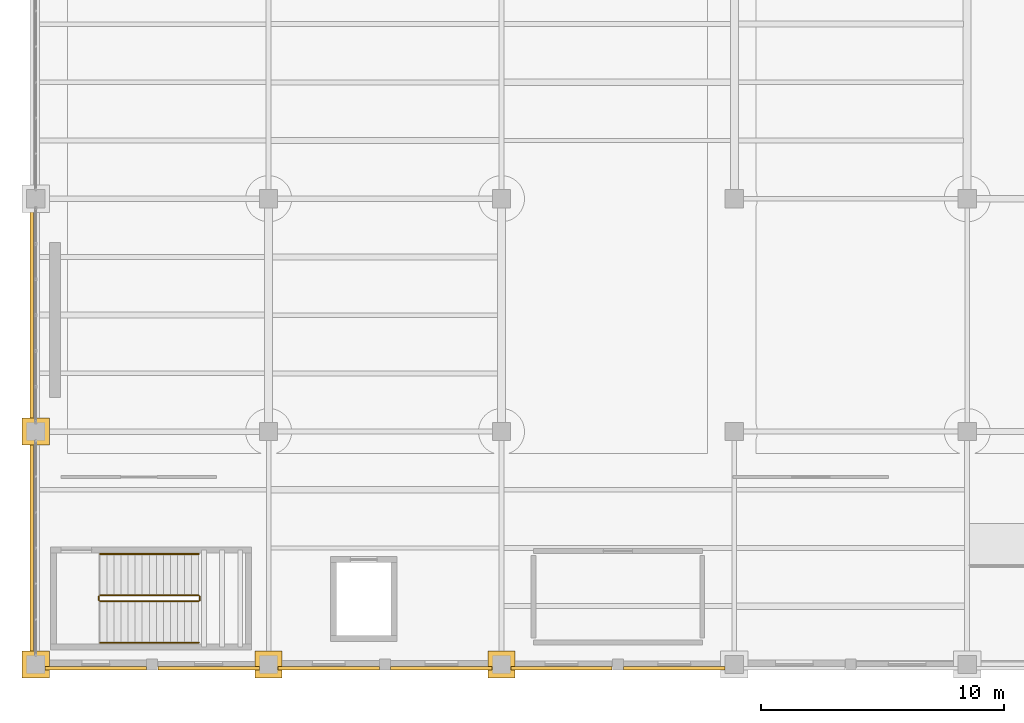
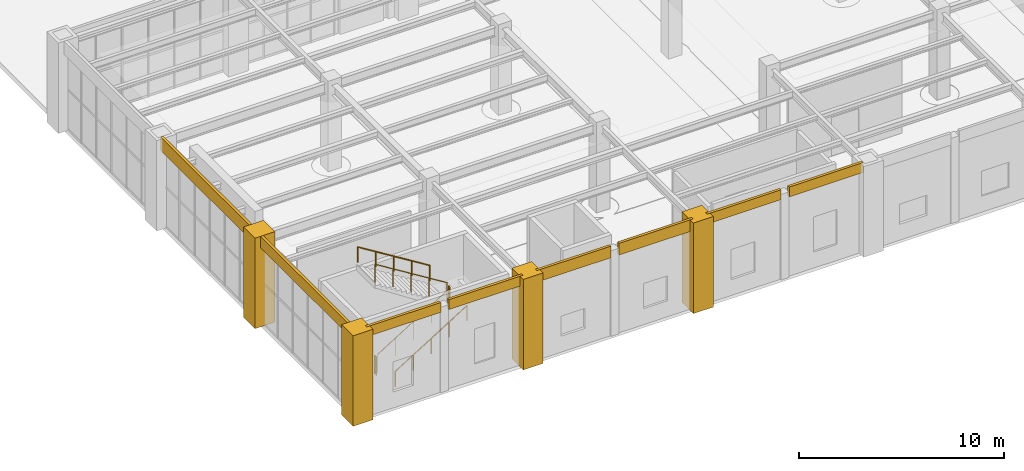
# One storey, part 140 of 164: 12 coverings, 6 railings.
"""IFC4 building model written with IfcOpenShell, lengths in metres."""

from ifc_helpers import new_model, si_unit, direction, frame, origin, origin_2d, place, context, subcontext, project, spatial, polyline, circle, outline, extrude, material, layer, layer_set, type_object, element, save


model = new_model("IFC4")

# Units and contexts
model_context = context("Model", 3, precision=1e-05, world=origin(), true_north=direction((0.0, 1.0)))
body_context = subcontext(model_context, "Body", "Model", "MODEL_VIEW")
ifc_project = project(units=[si_unit("LENGTHUNIT", "METRE"), si_unit("AREAUNIT", "SQUARE_METRE"), si_unit("VOLUMEUNIT", "CUBIC_METRE"), si_unit("PLANEANGLEUNIT", "RADIAN"), si_unit("MASSUNIT", "GRAM", prefix="KILO")], contexts=[model_context])

# Site, building, storey
site_placement = place(None, origin())
site = spatial("IfcSite", under=ifc_project, at=site_placement, CompositionType="ELEMENT")
building_placement = place(site_placement, origin())
building = spatial("IfcBuilding", under=site, at=building_placement, Name="Mavantir Sound Aquarium", CompositionType="ELEMENT")
storey_placement = place(building_placement, origin())
storey = spatial("IfcBuildingStorey", under=building, at=storey_placement, Name="L00", CompositionType="ELEMENT", Elevation=0.0)

# Coverings
ifc_material_1 = material(Name="Honed Coral-Limestone & Glazed Terracotta Rainscreen Cladding", Category="masonry")
ifc_layer = layer(ifc_material_1, 0.06005859375, Name="Honed Coral-Limestone & Glazed Terracotta Rainscreen Cladding")
ifc_layer_set = layer_set([ifc_layer], Name="Honed Coral-Limestone & Glazed Terracotta Rainscreen Cladding")
covering_type = type_object("IfcCoveringType", Name="COV-CLAD-TC", PredefinedType="CLADDING", material=ifc_layer_set)
covering_1_placement = place(storey_placement, frame((0.0, 0.0, 4.59912109375)))
element("IfcCovering", 1, at=covering_1_placement, inside=storey, type_object=covering_type, Name="L00 Postmodern coral-limestone spandrel frieze 54", PredefinedType="CLADDING", context=body_context, shape_type="SweptSolid", body=[
    extrude(outline(polyline([(-0.090087890625, 18.81689453125), (-0.090087890625, 9.98291015625), (-0.239990234375, 9.98291015625), (-0.239990234375, 18.81689453125), (-0.090087890625, 18.81689453125)])), origin(), (0.0, 0.0, 1.0), 0.80078125),
])
covering_2_placement = place(storey_placement, frame((0.0, 0.0, 4.7080078125)))
element("IfcCovering", 2, at=covering_2_placement, inside=storey, type_object=covering_type, Name="L00 Postmodern coral-limestone spandrel frieze 55", PredefinedType="CLADDING", context=body_context, shape_type="SweptSolid", body=[
    extrude(outline(polyline([(-0.090087890625, 9.217041015625), (-0.090087890625, 0.383056640625), (-0.239990234375, 0.383056640625), (-0.239990234375, 9.217041015625), (-0.090087890625, 9.217041015625)])), origin(), (0.0, 0.0, 1.0), 0.69189453125),
])
covering_3_placement = place(storey_placement, frame((0.0, 0.0, 4.81298828125)))
element("IfcCovering", 3, at=covering_3_placement, inside=storey, type_object=covering_type, Name="L00 Postmodern coral-limestone spandrel frieze 56", PredefinedType="CLADDING", context=body_context, shape_type="SweptSolid", body=[
    extrude(outline(polyline([(0.383056640625, -0.090087890625), (4.56689453125, -0.090087890625), (4.56689453125, -0.239990234375), (0.383056640625, -0.239990234375), (0.383056640625, -0.090087890625)])), origin(), (0.0, 0.0, 1.0), 0.5869140625),
])
covering_4_placement = place(storey_placement, frame((0.0, 0.0, 4.81298828125)))
element("IfcCovering", 4, at=covering_4_placement, inside=storey, type_object=covering_type, Name="L00 Postmodern coral-limestone spandrel frieze 57", PredefinedType="CLADDING", context=body_context, shape_type="SweptSolid", body=[
    extrude(outline(polyline([(5.032958984375, -0.090087890625), (9.217041015625, -0.090087890625), (9.217041015625, -0.239990234375), (5.032958984375, -0.239990234375), (5.032958984375, -0.090087890625)])), origin(), (0.0, 0.0, 1.0), 0.5869140625),
])
covering_5_placement = place(storey_placement, frame((0.0, 0.0, 4.7080078125)))
element("IfcCovering", 5, at=covering_5_placement, inside=storey, type_object=covering_type, Name="L00 Postmodern coral-limestone spandrel frieze 58", PredefinedType="CLADDING", context=body_context, shape_type="SweptSolid", body=[
    extrude(outline(polyline([(9.98291015625, -0.090087890625), (14.1669921875, -0.090087890625), (14.1669921875, -0.239990234375), (9.98291015625, -0.239990234375), (9.98291015625, -0.090087890625)])), origin(), (0.0, 0.0, 1.0), 0.69189453125),
])
covering_6_placement = place(storey_placement, frame((0.0, 0.0, 4.7080078125)))
element("IfcCovering", 6, at=covering_6_placement, inside=storey, type_object=covering_type, Name="L00 Postmodern coral-limestone spandrel frieze 59", PredefinedType="CLADDING", context=body_context, shape_type="SweptSolid", body=[
    extrude(outline(polyline([(14.633056640625, -0.090087890625), (18.81689453125, -0.090087890625), (18.81689453125, -0.239990234375), (14.633056640625, -0.239990234375), (14.633056640625, -0.090087890625)])), origin(), (0.0, 0.0, 1.0), 0.69189453125),
])
covering_7_placement = place(storey_placement, frame((0.0, 0.0, 4.81298828125)))
element("IfcCovering", 7, at=covering_7_placement, inside=storey, type_object=covering_type, Name="L00 Postmodern coral-limestone spandrel frieze 60", PredefinedType="CLADDING", context=body_context, shape_type="SweptSolid", body=[
    extrude(outline(polyline([(19.5830078125, -0.090087890625), (23.76708984375, -0.090087890625), (23.76708984375, -0.239990234375), (19.5830078125, -0.239990234375), (19.5830078125, -0.090087890625)])), origin(), (0.0, 0.0, 1.0), 0.5869140625),
])
covering_8_placement = place(storey_placement, frame((0.0, 0.0, 4.81298828125)))
element("IfcCovering", 8, at=covering_8_placement, inside=storey, type_object=covering_type, Name="L00 Postmodern coral-limestone spandrel frieze 61", PredefinedType="CLADDING", context=body_context, shape_type="SweptSolid", body=[
    extrude(outline(polyline([(24.23291015625, -0.090087890625), (28.4169921875, -0.090087890625), (28.4169921875, -0.239990234375), (24.23291015625, -0.239990234375), (24.23291015625, -0.090087890625)])), origin(), (0.0, 0.0, 1.0), 0.5869140625),
])
covering_9_placement = place(storey_placement, origin())
element("IfcCovering", 9, at=covering_9_placement, inside=storey, type_object=covering_type, Name="L00 Postmodern coral-limestone pilaster casing 159", PredefinedType="CLADDING", context=body_context, shape_type="SweptSolid", body=[
    extrude(outline(polyline([(-0.56005859375, -0.56005859375), (0.56005859375, -0.56005859375), (0.56005859375, 0.56005859375), (-0.56005859375, 0.56005859375), (-0.56005859375, -0.56005859375)])), origin(), (0.0, 0.0, 1.0), 5.39990234375),
])
covering_10_placement = place(storey_placement, origin())
element("IfcCovering", 10, at=covering_10_placement, inside=storey, type_object=covering_type, Name="L00 Postmodern coral-limestone pilaster casing 163", PredefinedType="CLADDING", context=body_context, shape_type="SweptSolid", body=[
    extrude(outline(polyline([(-0.56005859375, 9.0400390625), (0.56005859375, 9.0400390625), (0.56005859375, 10.159912109375), (-0.56005859375, 10.159912109375), (-0.56005859375, 9.0400390625)])), origin(), (0.0, 0.0, 1.0), 5.39990234375),
])
covering_11_placement = place(storey_placement, origin())
element("IfcCovering", 11, at=covering_11_placement, inside=storey, type_object=covering_type, Name="L00 Postmodern coral-limestone pilaster casing 173", PredefinedType="CLADDING", context=body_context, shape_type="SweptSolid", body=[
    extrude(outline(polyline([(9.0400390625, -0.56005859375), (10.159912109375, -0.56005859375), (10.159912109375, 0.56005859375), (9.0400390625, 0.56005859375), (9.0400390625, -0.56005859375)])), origin(), (0.0, 0.0, 1.0), 5.39990234375),
])
covering_12_placement = place(storey_placement, origin())
element("IfcCovering", 12, at=covering_12_placement, inside=storey, type_object=covering_type, Name="L00 Postmodern coral-limestone pilaster casing 181", PredefinedType="CLADDING", context=body_context, shape_type="SweptSolid", body=[
    extrude(outline(polyline([(18.639892578125, -0.56005859375), (19.760009765625, -0.56005859375), (19.760009765625, 0.56005859375), (18.639892578125, 0.56005859375), (18.639892578125, -0.56005859375)])), origin(), (0.0, 0.0, 1.0), 5.39990234375),
])

# Railings
ifc_material_2 = material(Name="Stainless Steel 316 and Laminated Glass Guardrail", Category="steel")
railing_type_1 = type_object("IfcRailingType", Name="RL-GUARD-110", PredefinedType="GUARDRAIL", material=ifc_material_2)
railing_1_placement = place(storey_placement, frame((2.64990234375, 2.60009765625, 0.179931640625)))
element("IfcRailing", 13, at=railing_1_placement, inside=storey, type_object=railing_type_1, Name="L00 ST3 stair guard 1", PredefinedType="GUARDRAIL", context=body_context, shape_type="SweptSolid", body=[
    extrude(circle(Radius=0.02392578125, at=origin_2d()), frame((0.0, 0.0, 1.076171875), z_axis=(0.849641744969, 0.0, 0.527360318194), x_axis=(0.0, 1.0, 0.0)), (0.0, 0.0, 1.0), 4.778564453125),
    extrude(circle(Radius=0.02099609375, at=origin_2d()), origin(), (0.0, 0.0, 1.0), 1.052001953125),
    extrude(circle(Radius=0.02099609375, at=origin_2d()), frame((1.01513671875, 0.0, 0.6298828125)), (0.0, 0.0, 1.0), 1.052001953125),
    extrude(circle(Radius=0.02099609375, at=origin_2d()), frame((2.030029296875, 0.0, 1.260009765625)), (0.0, 0.0, 1.0), 1.052001953125),
    extrude(circle(Radius=0.02099609375, at=origin_2d()), frame((3.044921875, 0.0, 1.89013671875)), (0.0, 0.0, 1.0), 1.052001953125),
    extrude(circle(Radius=0.02099609375, at=origin_2d()), frame((4.06005859375, 0.0, 2.52001953125)), (0.0, 0.0, 1.0), 1.052001953125),
])
railing_2_placement = place(storey_placement, frame((6.760009765625, 2.64990234375, 2.699951171875)))
element("IfcRailing", 14, at=railing_2_placement, inside=storey, type_object=railing_type_1, Name="L00 ST3 stair guard 2", PredefinedType="GUARDRAIL", context=body_context, shape_type="SweptSolid", body=[
    extrude(circle(Radius=0.02392578125, at=origin_2d()), frame((0.0, 0.0, 1.076171875), z_axis=(0.0, 1.0, 0.0), x_axis=(-1.0, 0.0, 0.0)), (0.0, 0.0, 1.0), 0.150146484375),
    extrude(circle(Radius=0.02099609375, at=origin_2d()), origin(), (0.0, 0.0, 1.0), 1.052001953125),
    extrude(circle(Radius=0.02099609375, at=origin_2d()), frame((0.0, 0.150146484375, 0.0)), (0.0, 0.0, 1.0), 1.052001953125),
])
railing_3_placement = place(storey_placement, frame((6.7099609375, 2.85009765625, 2.8798828125)))
element("IfcRailing", 15, at=railing_3_placement, inside=storey, type_object=railing_type_1, Name="L00 ST3 stair guard 3", PredefinedType="GUARDRAIL", context=body_context, shape_type="SweptSolid", body=[
    extrude(circle(Radius=0.02392578125, at=origin_2d()), frame((0.0, 0.0, 1.076171875), z_axis=(-0.849641744969, 0.0, 0.527360318194), x_axis=(0.0, -1.0, 0.0)), (0.0, 0.0, 1.0), 4.778564453125),
    extrude(circle(Radius=0.02099609375, at=origin_2d()), origin(), (0.0, 0.0, 1.0), 1.052001953125),
    extrude(circle(Radius=0.02099609375, at=origin_2d()), frame((-1.01513671875, 0.0, 0.6298828125)), (0.0, 0.0, 1.0), 1.052001953125),
    extrude(circle(Radius=0.02099609375, at=origin_2d()), frame((-2.030029296875, 0.0, 1.260009765625)), (0.0, 0.0, 1.0), 1.052001953125),
    extrude(circle(Radius=0.02099609375, at=origin_2d()), frame((-3.044921875, 0.0, 1.89013671875)), (0.0, 0.0, 1.0), 1.052001953125),
    extrude(circle(Radius=0.02099609375, at=origin_2d()), frame((-4.06005859375, 0.0, 2.52001953125)), (0.0, 0.0, 1.0), 1.052001953125),
])
railing_4_placement = place(storey_placement, frame((2.60009765625, 2.64990234375, 0.0)))
element("IfcRailing", 16, at=railing_4_placement, inside=storey, type_object=railing_type_1, Name="L00 ST3 stair guard 4", PredefinedType="GUARDRAIL", context=body_context, shape_type="SweptSolid", body=[
    extrude(circle(Radius=0.02392578125, at=origin_2d()), frame((0.0, 0.0, 1.076171875), z_axis=(0.0, 1.0, 0.0), x_axis=(-1.0, 0.0, 0.0)), (0.0, 0.0, 1.0), 0.150146484375),
    extrude(circle(Radius=0.02099609375, at=origin_2d()), origin(), (0.0, 0.0, 1.0), 1.052001953125),
    extrude(circle(Radius=0.02099609375, at=origin_2d()), frame((0.0, 0.150146484375, 0.0)), (0.0, 0.0, 1.0), 1.052001953125),
])
ifc_material_3 = material(Name="Brushed Stainless Steel 316 Handrail", Category="steel")
railing_type_2 = type_object("IfcRailingType", Name="RL-HR-90", PredefinedType="HANDRAIL", material=ifc_material_3)
railing_5_placement = place(storey_placement, frame((2.64990234375, 0.89990234375, 0.364990234375)))
element("IfcRailing", 17, at=railing_5_placement, inside=storey, type_object=railing_type_2, Name="L00 ST3 stair handrail 1", PredefinedType="HANDRAIL", context=body_context, shape_type="SweptSolid", body=[
    extrude(circle(Radius=0.02392578125, at=origin_2d()), frame((0.0, 0.0, 0.89111328125), z_axis=(0.849641744969, 0.0, 0.527360318194), x_axis=(0.0, 1.0, 0.0)), (0.0, 0.0, 1.0), 4.778564453125),
    extrude(circle(Radius=0.02099609375, at=origin_2d()), origin(), (0.0, 0.0, 1.0), 0.866943359375),
    extrude(circle(Radius=0.02099609375, at=origin_2d()), frame((1.01513671875, 0.0, 0.6298828125)), (0.0, 0.0, 1.0), 0.866943359375),
    extrude(circle(Radius=0.02099609375, at=origin_2d()), frame((2.030029296875, 0.0, 1.260009765625)), (0.0, 0.0, 1.0), 0.866943359375),
    extrude(circle(Radius=0.02099609375, at=origin_2d()), frame((3.044921875, 0.0, 1.89013671875)), (0.0, 0.0, 1.0), 0.866943359375),
    extrude(circle(Radius=0.02099609375, at=origin_2d()), frame((4.06005859375, 0.0, 2.52001953125)), (0.0, 0.0, 1.0), 0.866943359375),
])
railing_6_placement = place(storey_placement, frame((6.7099609375, 4.550048828125, 3.06494140625)))
element("IfcRailing", 18, at=railing_6_placement, inside=storey, type_object=railing_type_2, Name="L00 ST3 stair handrail 2", PredefinedType="HANDRAIL", context=body_context, shape_type="SweptSolid", body=[
    extrude(circle(Radius=0.02392578125, at=origin_2d()), frame((0.0, 0.0, 0.89111328125), z_axis=(-0.849641744969, 0.0, 0.527360318194), x_axis=(0.0, -1.0, 0.0)), (0.0, 0.0, 1.0), 4.778564453125),
    extrude(circle(Radius=0.02099609375, at=origin_2d()), origin(), (0.0, 0.0, 1.0), 0.866943359375),
    extrude(circle(Radius=0.02099609375, at=origin_2d()), frame((-1.01513671875, 0.0, 0.6298828125)), (0.0, 0.0, 1.0), 0.866943359375),
    extrude(circle(Radius=0.02099609375, at=origin_2d()), frame((-2.030029296875, 0.0, 1.260009765625)), (0.0, 0.0, 1.0), 0.866943359375),
    extrude(circle(Radius=0.02099609375, at=origin_2d()), frame((-3.044921875, 0.0, 1.89013671875)), (0.0, 0.0, 1.0), 0.866943359375),
    extrude(circle(Radius=0.02099609375, at=origin_2d()), frame((-4.06005859375, 0.0, 2.52001953125)), (0.0, 0.0, 1.0), 0.866943359375),
])

save(model, "model.ifc")
